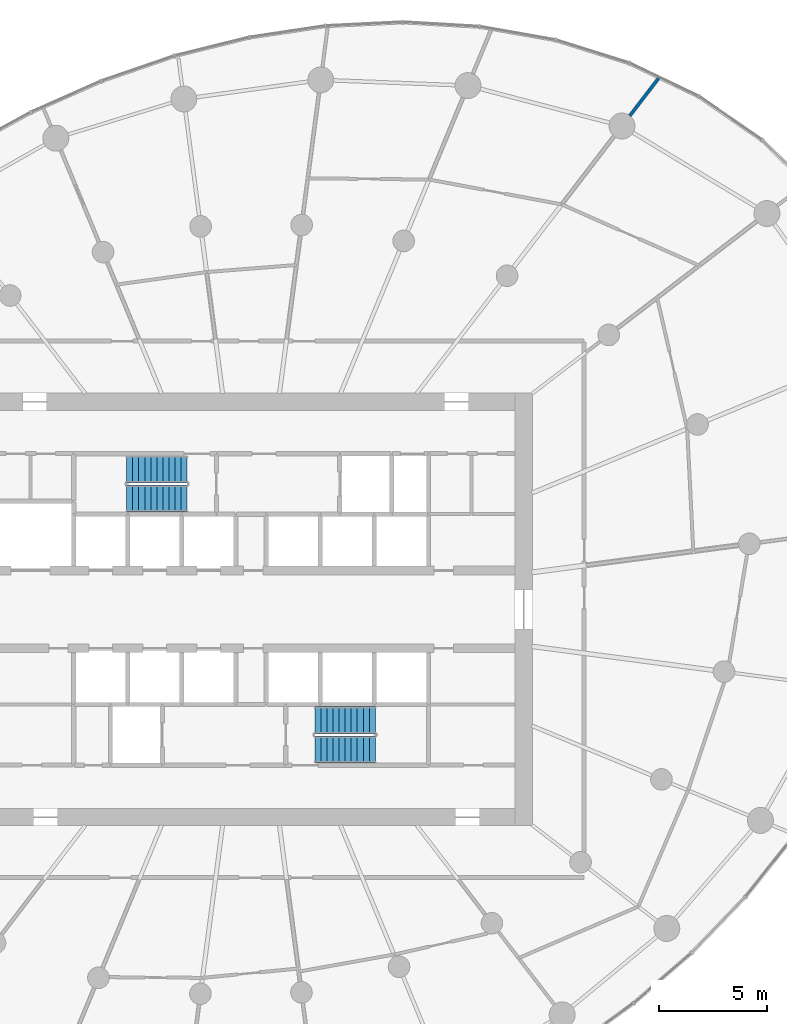
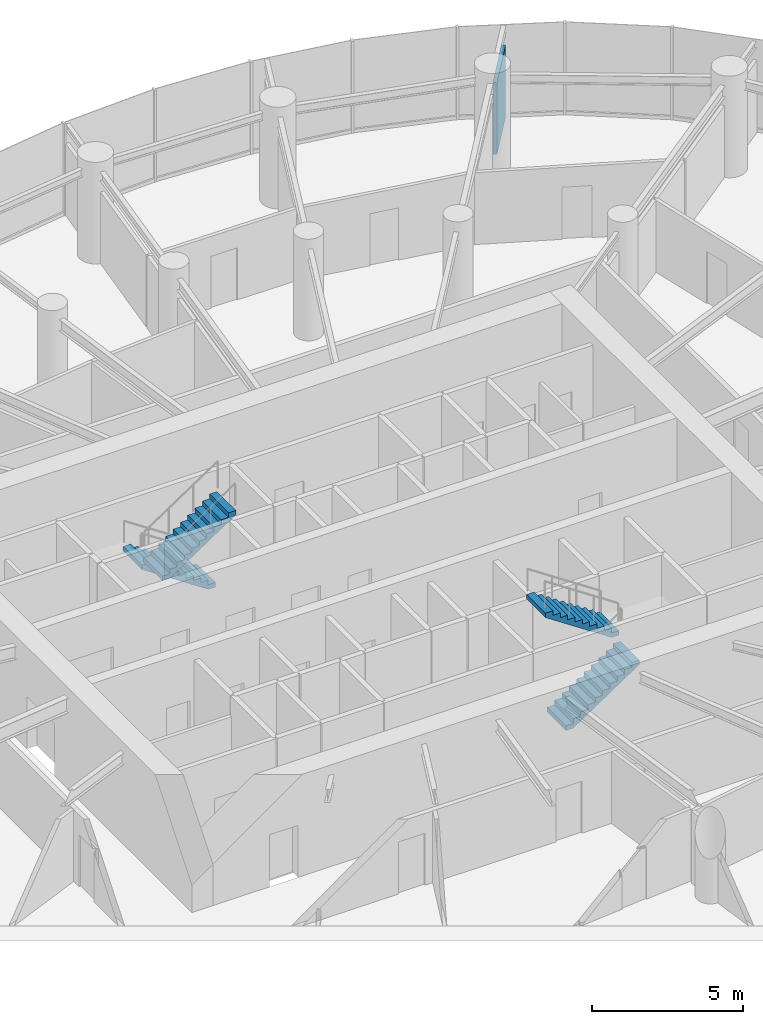
# One storey, part 14 of 17: 4 stair flights, 1 wall, 2 elements without a shape of their own.
"""IFC4 building model written with IfcOpenShell, lengths in metres."""

from ifc_helpers import new_model, si_unit, direction, frame, frame_2d, origin, place, context, subcontext, project, spatial, line, indexed_curve, rectangle, outline, extrude, material, layer, layer_set, type_object, element, aggregate, save


model = new_model("IFC4")

# Units and contexts
model_context = context("Model", 3, precision=1e-05, world=origin(), true_north=direction((0.0, 1.0)))
body_context = subcontext(model_context, "Body", "Model", "MODEL_VIEW")
ifc_project = project(units=[si_unit("LENGTHUNIT", "METRE"), si_unit("AREAUNIT", "SQUARE_METRE"), si_unit("VOLUMEUNIT", "CUBIC_METRE"), si_unit("PLANEANGLEUNIT", "RADIAN"), si_unit("MASSUNIT", "GRAM", prefix="KILO")], contexts=[model_context])

# Site, building, storey
site_placement = place(None, origin())
site = spatial("IfcSite", under=ifc_project, at=site_placement, CompositionType="ELEMENT")
building_placement = place(site_placement, origin())
building = spatial("IfcBuilding", under=site, at=building_placement, Name="Spindrift Exchange Tower", CompositionType="ELEMENT")
storey_placement = place(building_placement, frame((0.0, 0.0, 120.800048828125)))
storey = spatial("IfcBuildingStorey", under=building, at=storey_placement, Name="L28", CompositionType="ELEMENT", Elevation=120.800048828125)

# Wall
ifc_material_1 = material(Name="Fire-rated plasterboard partition", Category="gypsum")
ifc_layer = layer(ifc_material_1, 0.139892578125)
ifc_layer_set = layer_set([ifc_layer], Name="W-PLANT-140")
wall_type = type_object("IfcWallType", Name="W-PLANT-140", PredefinedType="PARTITIONING", material=ifc_layer_set)
wall_placement = place(storey_placement, frame((69.513671875, 70.82421875, 0.0), z_axis=(0.0, 0.0, 1.0), x_axis=(0.608790940556, 0.793330694412, 0.0)))
element("IfcWall", 1, at=wall_placement, inside=storey, type_object=wall_type, Name="L28 Partition wall 107", PredefinedType="PARTITIONING", context=body_context, shape_type="SweptSolid", body=[
    extrude(rectangle(XDim=2.181640625, YDim=0.139892578125, at=frame_2d((1.0908203125, 0.0))), origin(), (0.0, 0.0, 1.0), 2.89990234375),
])

# Stair, stair flights
ifc_material_2 = material(Name="Concrete 50 MPa", Category="concrete")
stair_type = type_object("IfcStairType", Name="ST-1250-R186", PredefinedType="HALF_TURN_STAIR", material=ifc_material_2)
stair_1_placement = place(storey_placement, origin())
stair_1 = element("IfcStair", 2, at=stair_1_placement, inside=storey, type_object=stair_type, Name="L28 Exit stair ST1", PredefinedType="HALF_TURN_STAIR")
stair_flight_type = type_object("IfcStairFlightType", Name="STF-1250-R186", PredefinedType="STRAIGHT", material=ifc_material_2)
stair_flight_1_placement = place(storey_placement, frame((49.050048828125, 54.47509765625, 0.0), z_axis=(0.0, 0.0, 1.0), x_axis=(-1.0, 0.0, 0.0)))
stair_flight_1 = element("IfcStairFlight", 3, at=stair_flight_1_placement, type_object=stair_flight_type, Name="ST1 flight 1", NumberOfRisers=11, NumberOfTreads=10, PredefinedType="STRAIGHT", RiserHeight=0.186363636, TreadLength=0.28, context=body_context, shape_type="SweptSolid", body=[
    extrude(outline(indexed_curve([(0.0, 0.0), (0.0, 0.1865234375), (0.2802734375, 0.1865234375), (0.2802734375, 0.373046875), (0.5595703125, 0.373046875), (0.5595703125, 0.5595703125), (0.83984375, 0.5595703125), (0.83984375, 0.7451171875), (1.1201171875, 0.7451171875), (1.1201171875, 0.931640625), (1.400390625, 0.931640625), (1.400390625, 1.1181640625), (1.6796875, 1.1181640625), (1.6796875, 1.3046875), (1.9599609375, 1.3046875), (1.9599609375, 1.4912109375), (2.240234375, 1.4912109375), (2.240234375, 1.677734375), (2.51953125, 1.677734375), (2.51953125, 1.86328125), (2.7998046875, 1.86328125), (2.7998046875, 2.0498046875), (2.7998046875, 1.68359375), (0.2705078125, 0.0)], segments=[line(1, 2, 3, 4, 5, 6, 7, 8, 9, 10, 11, 12, 13, 14, 15, 16, 17, 18, 19, 20, 21, 22, 23, 24, 1)], self_intersect=False)), frame((0.0, 0.625, 0.0), z_axis=(0.0, -1.0, 0.0), x_axis=(1.0, 0.0, 0.0)), (0.0, 0.0, 1.0), 1.25),
])
stair_flight_2_placement = place(storey_placement, frame((46.25, 53.125, 2.050048828125), z_axis=(0.0, 0.0, 1.0), x_axis=(1.0, 0.0, 0.0)))
stair_flight_2 = element("IfcStairFlight", 4, at=stair_flight_2_placement, type_object=stair_flight_type, Name="ST1 flight 2", NumberOfRisers=11, NumberOfTreads=10, PredefinedType="STRAIGHT", RiserHeight=0.186363636, TreadLength=0.28, context=body_context, shape_type="SweptSolid", body=[
    extrude(outline(indexed_curve([(0.0, 0.0), (0.0, 0.1865234375), (0.2802734375, 0.1865234375), (0.2802734375, 0.373046875), (0.5595703125, 0.373046875), (0.5595703125, 0.5595703125), (0.83984375, 0.5595703125), (0.83984375, 0.7451171875), (1.1201171875, 0.7451171875), (1.1201171875, 0.931640625), (1.400390625, 0.931640625), (1.400390625, 1.1181640625), (1.6796875, 1.1181640625), (1.6796875, 1.3046875), (1.9599609375, 1.3046875), (1.9599609375, 1.4912109375), (2.240234375, 1.4912109375), (2.240234375, 1.677734375), (2.51953125, 1.677734375), (2.51953125, 1.86328125), (2.7998046875, 1.86328125), (2.7998046875, 2.0498046875), (2.7998046875, 1.68359375), (0.2705078125, 0.0)], segments=[line(1, 2, 3, 4, 5, 6, 7, 8, 9, 10, 11, 12, 13, 14, 15, 16, 17, 18, 19, 20, 21, 22, 23, 24, 1)], self_intersect=False)), frame((0.0, 0.625, 0.0), z_axis=(0.0, -1.0, 0.0), x_axis=(1.0, 0.0, 0.0)), (0.0, 0.0, 1.0), 1.25),
])
aggregate(stair_1, [stair_flight_1, stair_flight_2])

stair_2_placement = place(storey_placement, origin())
stair_2 = element("IfcStair", 5, at=stair_2_placement, inside=storey, type_object=stair_type, Name="L28 Exit stair ST2", PredefinedType="HALF_TURN_STAIR")
stair_flight_3_placement = place(storey_placement, frame((54.949951171875, 41.52490234375, 0.0), z_axis=(0.0, 0.0, 1.0), x_axis=(1.0, 0.0, 0.0)))
stair_flight_3 = element("IfcStairFlight", 6, at=stair_flight_3_placement, type_object=stair_flight_type, Name="ST2 flight 1", NumberOfRisers=11, NumberOfTreads=10, PredefinedType="STRAIGHT", RiserHeight=0.186363636, TreadLength=0.28, context=body_context, shape_type="SweptSolid", body=[
    extrude(outline(indexed_curve([(0.0, 0.0), (0.0, 0.1865234375), (0.2802734375, 0.1865234375), (0.2802734375, 0.373046875), (0.5595703125, 0.373046875), (0.5595703125, 0.5595703125), (0.83984375, 0.5595703125), (0.83984375, 0.7451171875), (1.1201171875, 0.7451171875), (1.1201171875, 0.931640625), (1.400390625, 0.931640625), (1.400390625, 1.1181640625), (1.6796875, 1.1181640625), (1.6796875, 1.3046875), (1.9599609375, 1.3046875), (1.9599609375, 1.4912109375), (2.240234375, 1.4912109375), (2.240234375, 1.677734375), (2.51953125, 1.677734375), (2.51953125, 1.86328125), (2.7998046875, 1.86328125), (2.7998046875, 2.0498046875), (2.7998046875, 1.68359375), (0.2705078125, 0.0)], segments=[line(1, 2, 3, 4, 5, 6, 7, 8, 9, 10, 11, 12, 13, 14, 15, 16, 17, 18, 19, 20, 21, 22, 23, 24, 1)], self_intersect=False)), frame((0.0, 0.625, 0.0), z_axis=(0.0, -1.0, 0.0), x_axis=(1.0, 0.0, 0.0)), (0.0, 0.0, 1.0), 1.25),
])
stair_flight_4_placement = place(storey_placement, frame((57.75, 42.875, 2.050048828125), z_axis=(0.0, 0.0, 1.0), x_axis=(-1.0, 0.0, 0.0)))
stair_flight_4 = element("IfcStairFlight", 7, at=stair_flight_4_placement, type_object=stair_flight_type, Name="ST2 flight 2", NumberOfRisers=11, NumberOfTreads=10, PredefinedType="STRAIGHT", RiserHeight=0.186363636, TreadLength=0.28, context=body_context, shape_type="SweptSolid", body=[
    extrude(outline(indexed_curve([(0.0, 0.0), (0.0, 0.1865234375), (0.2802734375, 0.1865234375), (0.2802734375, 0.373046875), (0.5595703125, 0.373046875), (0.5595703125, 0.5595703125), (0.83984375, 0.5595703125), (0.83984375, 0.7451171875), (1.1201171875, 0.7451171875), (1.1201171875, 0.931640625), (1.400390625, 0.931640625), (1.400390625, 1.1181640625), (1.6796875, 1.1181640625), (1.6796875, 1.3046875), (1.9599609375, 1.3046875), (1.9599609375, 1.4912109375), (2.240234375, 1.4912109375), (2.240234375, 1.677734375), (2.51953125, 1.677734375), (2.51953125, 1.86328125), (2.7998046875, 1.86328125), (2.7998046875, 2.0498046875), (2.7998046875, 1.68359375), (0.2705078125, 0.0)], segments=[line(1, 2, 3, 4, 5, 6, 7, 8, 9, 10, 11, 12, 13, 14, 15, 16, 17, 18, 19, 20, 21, 22, 23, 24, 1)], self_intersect=False)), frame((0.0, 0.625, 0.0), z_axis=(0.0, -1.0, 0.0), x_axis=(1.0, 0.0, 0.0)), (0.0, 0.0, 1.0), 1.25),
])
aggregate(stair_2, [stair_flight_3, stair_flight_4])

save(model, "model.ifc")
